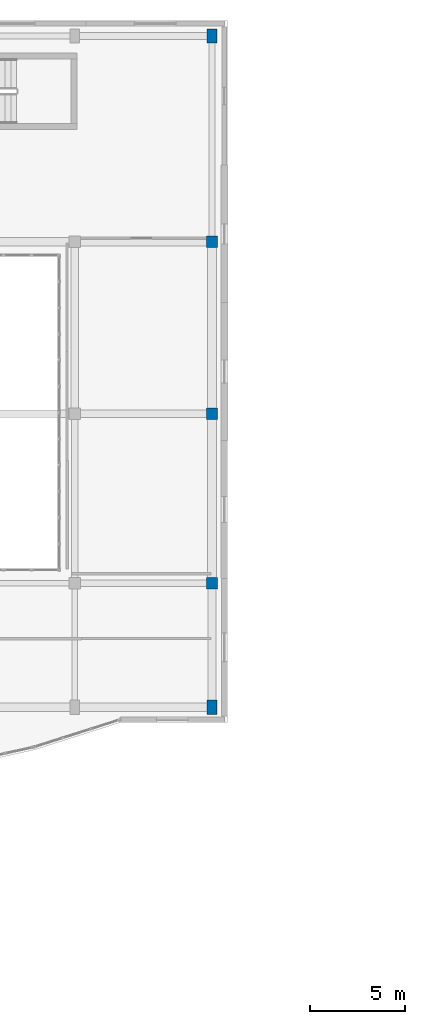
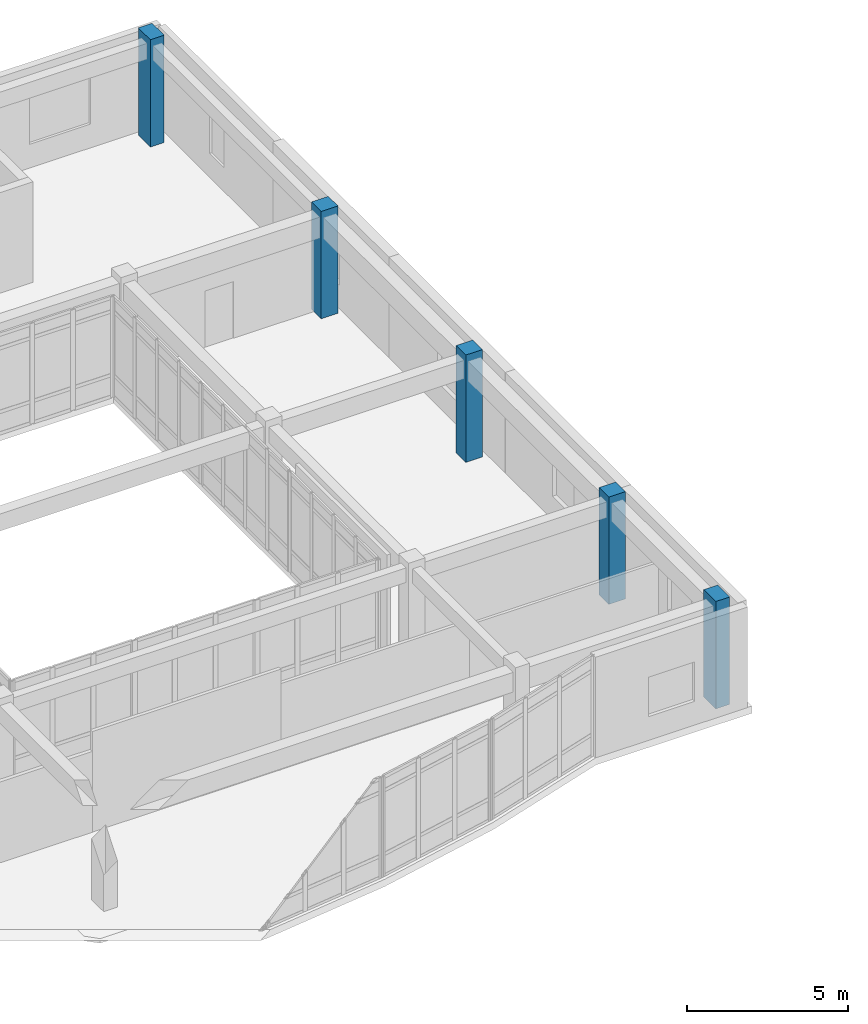
# One storey, part 15 of 146: 5 columns.
"""IFC4 building model written with IfcOpenShell, lengths in metres."""

from ifc_helpers import new_model, si_unit, direction, frame, origin, origin_2d, place, context, subcontext, project, spatial, rectangle, extrude, material, material_profile, profile_set, type_object, element, save


model = new_model("IFC4")

# Units and contexts
model_context = context("Model", 3, precision=1e-05, world=origin(), true_north=direction((0.0, 1.0)))
body_context = subcontext(model_context, "Body", "Model", "MODEL_VIEW")
ifc_project = project(units=[si_unit("LENGTHUNIT", "METRE"), si_unit("AREAUNIT", "SQUARE_METRE"), si_unit("VOLUMEUNIT", "CUBIC_METRE"), si_unit("PLANEANGLEUNIT", "RADIAN"), si_unit("MASSUNIT", "GRAM", prefix="KILO")], contexts=[model_context])

# Site, building, storey
site_placement = place(None, origin())
site = spatial("IfcSite", under=ifc_project, at=site_placement, CompositionType="ELEMENT")
building_placement = place(site_placement, origin())
building = spatial("IfcBuilding", under=site, at=building_placement, Name="Valcora Specialist Clinic", CompositionType="ELEMENT")
storey_placement = place(building_placement, frame((0.0, 0.0, 9.52001953125)))
storey = spatial("IfcBuildingStorey", under=building, at=storey_placement, Name="L02", CompositionType="ELEMENT", Elevation=9.52001953125)

# Columns
ifc_material = material(Name="Concrete C40/50", Category="concrete")
ifc_material_profile_1 = material_profile(ifc_material, rectangle(XDim=0.5, YDim=0.75, at=origin_2d()), Name="RC-COL-500X750")
ifc_profile_set_1 = profile_set([ifc_material_profile_1], Name="Concrete C40/50")
column_type_1 = type_object("IfcColumnType", Name="TY-COL-RC500X750", PredefinedType="COLUMN", material=ifc_profile_set_1)
for number, where, z_axis, x_axis, name in (
    (1, (133.199951171875, 74.800048828125, 0.0), (0.0, 0.0, 1.0), (1.0, 0.0, 0.0), "Column COL-L02-0504"),
    (2, (133.199951171875, 110.0, 0.0), (0.0, 0.0, 1.0), (1.0, 0.0, 0.0), "Column COL-L02-0520"),
):
    element("IfcColumn", number, at=place(storey_placement, frame(where, z_axis=z_axis, x_axis=x_axis)), inside=storey, type_object=column_type_1, Name=name, PredefinedType="COLUMN", context=body_context, shape_type="SweptSolid", body=[
        extrude(rectangle(XDim=0.5, YDim=0.75, at=origin_2d()), origin(), (0.0, 0.0, 1.0), 4.080078125),
    ])
ifc_material_profile_2 = material_profile(ifc_material, rectangle(XDim=0.60009765625, YDim=0.60009765625, at=origin_2d()), Name="RC-COL-600X600")
ifc_profile_set_2 = profile_set([ifc_material_profile_2], Name="Concrete C40/50")
column_type_2 = type_object("IfcColumnType", Name="TY-COL-RC600", PredefinedType="COLUMN", material=ifc_profile_set_2)
for number, where, z_axis, x_axis, name in (
    (3, (133.199951171875, 81.300048828125, 0.0), (0.0, 0.0, 1.0), (1.0, 0.0, 0.0), "Column COL-L02-0508"),
    (4, (133.199951171875, 90.199951171875, 0.0), (0.0, 0.0, 1.0), (1.0, 0.0, 0.0), "Column COL-L02-0512"),
    (5, (133.199951171875, 99.199951171875, 0.0), (0.0, 0.0, 1.0), (1.0, 0.0, 0.0), "Column COL-L02-0516"),
):
    element("IfcColumn", number, at=place(storey_placement, frame(where, z_axis=z_axis, x_axis=x_axis)), inside=storey, type_object=column_type_2, Name=name, PredefinedType="COLUMN", context=body_context, shape_type="SweptSolid", body=[
        extrude(rectangle(XDim=0.60009765625, YDim=0.60009765625, at=origin_2d()), origin(), (0.0, 0.0, 1.0), 4.080078125),
    ])

save(model, "model.ifc")
